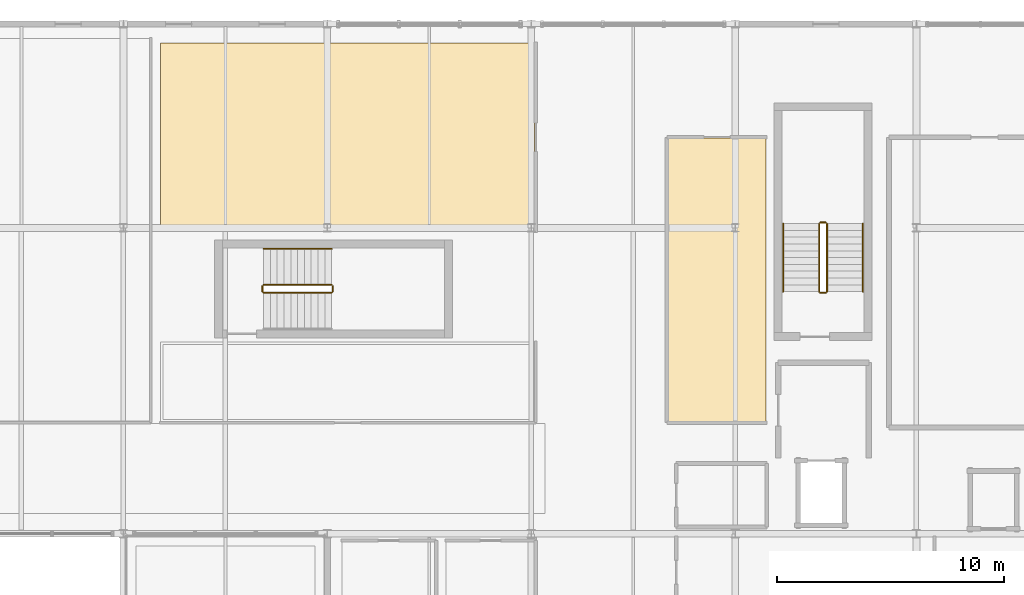
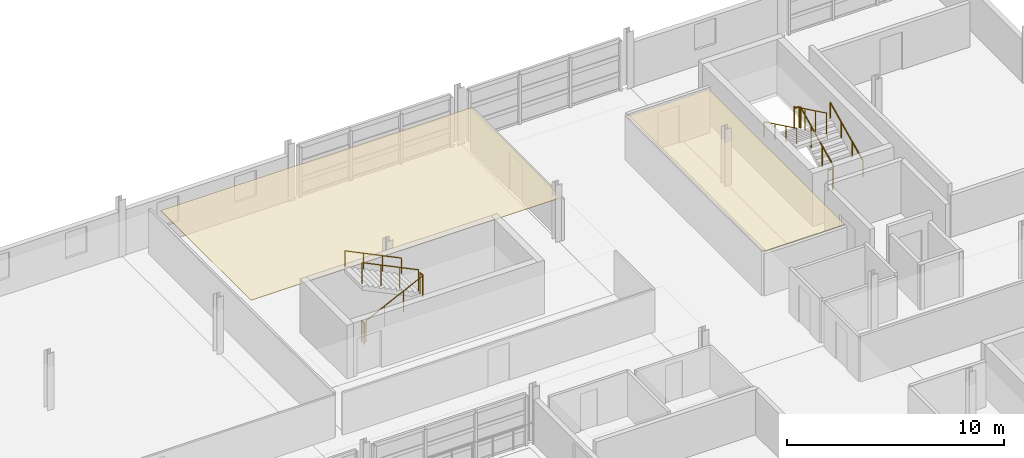
# One storey, part 29 of 30: 11 railings, 2 coverings.
"""IFC4 building model written with IfcOpenShell, lengths in metres."""

from ifc_helpers import new_model, si_unit, direction, frame, origin, origin_2d, place, context, subcontext, project, spatial, polyline, circle, outline, extrude, material, layer, layer_set, type_object, element, save


model = new_model("IFC4")

# Units and contexts
model_context = context("Model", 3, precision=1e-05, world=origin(), true_north=direction((0.0, 1.0)))
body_context = subcontext(model_context, "Body", "Model", "MODEL_VIEW")
ifc_project = project(units=[si_unit("LENGTHUNIT", "METRE"), si_unit("AREAUNIT", "SQUARE_METRE"), si_unit("VOLUMEUNIT", "CUBIC_METRE"), si_unit("PLANEANGLEUNIT", "RADIAN"), si_unit("MASSUNIT", "GRAM", prefix="KILO")], contexts=[model_context])

# Site, building, storey
site_placement = place(None, origin())
site = spatial("IfcSite", under=ifc_project, at=site_placement, CompositionType="ELEMENT")
building_placement = place(site_placement, origin())
building = spatial("IfcBuilding", under=site, at=building_placement, Name="Chuanluo Vaults Station", CompositionType="ELEMENT")
storey_placement = place(building_placement, frame((0.0, 0.0, 17.60009765625)))
storey = spatial("IfcBuildingStorey", under=building, at=storey_placement, Name="L04", CompositionType="ELEMENT", Elevation=17.60009765625)

# Coverings
ifc_material_1 = material(Name="Acoustic mineral-fibre tile")
ifc_layer = layer(ifc_material_1, 0.02490234375)
ifc_layer_set = layer_set([ifc_layer], Name="Acoustic mineral-fibre tile")
covering_type = type_object("IfcCoveringType", Name="COV-CEIL-TILE", PredefinedType="CEILING", material=ifc_layer_set)
covering_1_placement = place(storey_placement, frame((0.0, 0.0, 2.39990234375)))
element("IfcCovering", 1, at=covering_1_placement, inside=storey, type_object=covering_type, Name="L04-04 suspended acoustic ceiling", PredefinedType="CEILING", context=body_context, shape_type="SweptSolid", body=[
    extrude(outline(polyline([(146.639892578125, 116.840087890625), (163.159912109375, 116.840087890625), (163.159912109375, 125.159912109375), (146.639892578125, 125.159912109375), (146.639892578125, 116.840087890625)])), origin(), (0.0, 0.0, 1.0), 0.02490234375),
])
covering_2_placement = place(storey_placement, frame((0.0, 0.0, 2.39990234375)))
element("IfcCovering", 2, at=covering_2_placement, inside=storey, type_object=covering_type, Name="L04-16 suspended acoustic ceiling", PredefinedType="CEILING", context=body_context, shape_type="SweptSolid", body=[
    extrude(outline(polyline([(169.0400390625, 108.43994140625), (173.360107421875, 108.43994140625), (173.360107421875, 120.9599609375), (169.0400390625, 120.9599609375), (169.0400390625, 108.43994140625)])), origin(), (0.0, 0.0, 1.0), 0.02490234375),
])

# Railings
ifc_material_2 = material(Name="Tempered laminated balustrade glass", Category="glass")
railing_type_1 = type_object("IfcRailingType", Name="RLG-GUARD-1200", PredefinedType="BALUSTRADE", material=ifc_material_2)
railing_1_placement = place(storey_placement, frame((176.052490234375, 114.1875, 0.145263671875)))
element("IfcRailing", 3, at=railing_1_placement, inside=storey, type_object=railing_type_1, Name="L04 ST-02 stair guard 1", PredefinedType="BALUSTRADE", context=body_context, shape_type="SweptSolid", body=[
    extrude(circle(Radius=0.02392578125, at=origin_2d()), frame((0.0, 0.0, 1.17578125), z_axis=(0.0, 0.899808880547, 0.43628428632), x_axis=(-1.0, 0.0, 0.0)), (0.0, 0.0, 1.0), 3.333984375),
    extrude(circle(Radius=0.02099609375, at=origin_2d()), origin(), (0.0, 0.0, 1.0), 1.15185546875),
    extrude(circle(Radius=0.02099609375, at=origin_2d()), frame((0.0, 1.0, 0.48486328125)), (0.0, 0.0, 1.0), 1.15185546875),
    extrude(circle(Radius=0.02099609375, at=origin_2d()), frame((0.0, 2.0, 0.9697265625)), (0.0, 0.0, 1.0), 1.15185546875),
    extrude(circle(Radius=0.02099609375, at=origin_2d()), frame((0.0, 3.0, 1.45458984375)), (0.0, 0.0, 1.0), 1.15185546875),
])
railing_2_placement = place(storey_placement, frame((176.00244140625, 117.237548828125, 1.599853515625)))
element("IfcRailing", 4, at=railing_2_placement, inside=storey, type_object=railing_type_1, Name="L04 ST-02 stair guard 2", PredefinedType="BALUSTRADE", context=body_context, shape_type="SweptSolid", body=[
    extrude(circle(Radius=0.02392578125, at=origin_2d()), frame((0.0, 0.0, 1.17578125), z_axis=(-1.0, 0.0, 0.0), x_axis=(0.0, -1.0, 0.0)), (0.0, 0.0, 1.0), 0.25),
    extrude(circle(Radius=0.02099609375, at=origin_2d()), origin(), (0.0, 0.0, 1.0), 1.15185546875),
    extrude(circle(Radius=0.02099609375, at=origin_2d()), frame((-0.25, 0.0, 0.0)), (0.0, 0.0, 1.0), 1.15185546875),
])
railing_3_placement = place(storey_placement, frame((175.702392578125, 117.1875, 1.745361328125)))
element("IfcRailing", 5, at=railing_3_placement, inside=storey, type_object=railing_type_1, Name="L04 ST-02 stair guard 3", PredefinedType="BALUSTRADE", context=body_context, shape_type="SweptSolid", body=[
    extrude(circle(Radius=0.02392578125, at=origin_2d()), frame((0.0, 0.0, 1.17578125), z_axis=(0.0, -0.899808880547, 0.43628428632), x_axis=(1.0, 0.0, 0.0)), (0.0, 0.0, 1.0), 3.333984375),
    extrude(circle(Radius=0.02099609375, at=origin_2d()), origin(), (0.0, 0.0, 1.0), 1.15185546875),
    extrude(circle(Radius=0.02099609375, at=origin_2d()), frame((0.0, -1.0, 0.48486328125)), (0.0, 0.0, 1.0), 1.15185546875),
    extrude(circle(Radius=0.02099609375, at=origin_2d()), frame((0.0, -2.0, 0.9697265625)), (0.0, 0.0, 1.0), 1.15185546875),
    extrude(circle(Radius=0.02099609375, at=origin_2d()), frame((0.0, -3.0, 1.45458984375)), (0.0, 0.0, 1.0), 1.15185546875),
])
railing_4_placement = place(storey_placement, frame((176.00244140625, 114.137451171875, 0.0)))
element("IfcRailing", 6, at=railing_4_placement, inside=storey, type_object=railing_type_1, Name="L04 ST-02 stair guard 4", PredefinedType="BALUSTRADE", context=body_context, shape_type="SweptSolid", body=[
    extrude(circle(Radius=0.02392578125, at=origin_2d()), frame((0.0, 0.0, 1.17578125), z_axis=(-1.0, 0.0, 0.0), x_axis=(0.0, -1.0, 0.0)), (0.0, 0.0, 1.0), 0.25),
    extrude(circle(Radius=0.02099609375, at=origin_2d()), origin(), (0.0, 0.0, 1.0), 1.15185546875),
    extrude(circle(Radius=0.02099609375, at=origin_2d()), frame((-0.25, 0.0, 0.0)), (0.0, 0.0, 1.0), 1.15185546875),
])
railing_5_placement = place(storey_placement, frame((151.1875, 114.135009765625, 0.145263671875)))
element("IfcRailing", 7, at=railing_5_placement, inside=storey, type_object=railing_type_1, Name="L04 ST-03 stair guard 1", PredefinedType="BALUSTRADE", context=body_context, shape_type="SweptSolid", body=[
    extrude(circle(Radius=0.02392578125, at=origin_2d()), frame((0.0, 0.0, 1.17578125), z_axis=(0.899808880547, 0.0, 0.43628428632), x_axis=(0.0, 1.0, 0.0)), (0.0, 0.0, 1.0), 3.333984375),
    extrude(circle(Radius=0.02099609375, at=origin_2d()), origin(), (0.0, 0.0, 1.0), 1.15185546875),
    extrude(circle(Radius=0.02099609375, at=origin_2d()), frame((1.0, 0.0, 0.48486328125)), (0.0, 0.0, 1.0), 1.15185546875),
    extrude(circle(Radius=0.02099609375, at=origin_2d()), frame((2.0, 0.0, 0.9697265625)), (0.0, 0.0, 1.0), 1.15185546875),
    extrude(circle(Radius=0.02099609375, at=origin_2d()), frame((3.0, 0.0, 1.45458984375)), (0.0, 0.0, 1.0), 1.15185546875),
])
railing_6_placement = place(storey_placement, frame((154.237548828125, 114.18505859375, 1.599853515625)))
element("IfcRailing", 8, at=railing_6_placement, inside=storey, type_object=railing_type_1, Name="L04 ST-03 stair guard 2", PredefinedType="BALUSTRADE", context=body_context, shape_type="SweptSolid", body=[
    extrude(circle(Radius=0.02392578125, at=origin_2d()), frame((0.0, 0.0, 1.17578125), z_axis=(0.0, 1.0, 0.0), x_axis=(-1.0, 0.0, 0.0)), (0.0, 0.0, 1.0), 0.25),
    extrude(circle(Radius=0.02099609375, at=origin_2d()), origin(), (0.0, 0.0, 1.0), 1.15185546875),
    extrude(circle(Radius=0.02099609375, at=origin_2d()), frame((0.0, 0.25, 0.0)), (0.0, 0.0, 1.0), 1.15185546875),
])
railing_7_placement = place(storey_placement, frame((154.1875, 114.485107421875, 1.745361328125)))
element("IfcRailing", 9, at=railing_7_placement, inside=storey, type_object=railing_type_1, Name="L04 ST-03 stair guard 3", PredefinedType="BALUSTRADE", context=body_context, shape_type="SweptSolid", body=[
    extrude(circle(Radius=0.02392578125, at=origin_2d()), frame((0.0, 0.0, 1.17578125), z_axis=(-0.899808880547, 0.0, 0.43628428632), x_axis=(0.0, -1.0, 0.0)), (0.0, 0.0, 1.0), 3.333984375),
    extrude(circle(Radius=0.02099609375, at=origin_2d()), origin(), (0.0, 0.0, 1.0), 1.15185546875),
    extrude(circle(Radius=0.02099609375, at=origin_2d()), frame((-1.0, 0.0, 0.48486328125)), (0.0, 0.0, 1.0), 1.15185546875),
    extrude(circle(Radius=0.02099609375, at=origin_2d()), frame((-2.0, 0.0, 0.9697265625)), (0.0, 0.0, 1.0), 1.15185546875),
    extrude(circle(Radius=0.02099609375, at=origin_2d()), frame((-3.0, 0.0, 1.45458984375)), (0.0, 0.0, 1.0), 1.15185546875),
])
railing_8_placement = place(storey_placement, frame((151.137451171875, 114.18505859375, 0.0)))
element("IfcRailing", 10, at=railing_8_placement, inside=storey, type_object=railing_type_1, Name="L04 ST-03 stair guard 4", PredefinedType="BALUSTRADE", context=body_context, shape_type="SweptSolid", body=[
    extrude(circle(Radius=0.02392578125, at=origin_2d()), frame((0.0, 0.0, 1.17578125), z_axis=(0.0, 1.0, 0.0), x_axis=(-1.0, 0.0, 0.0)), (0.0, 0.0, 1.0), 0.25),
    extrude(circle(Radius=0.02099609375, at=origin_2d()), origin(), (0.0, 0.0, 1.0), 1.15185546875),
    extrude(circle(Radius=0.02099609375, at=origin_2d()), frame((0.0, 0.25, 0.0)), (0.0, 0.0, 1.0), 1.15185546875),
])
ifc_material_3 = material(Name="Brushed stainless steel 304", Category="steel")
railing_type_2 = type_object("IfcRailingType", Name="RLG-HAND-900", PredefinedType="HANDRAIL", material=ifc_material_3)
railing_9_placement = place(storey_placement, frame((177.637451171875, 114.1875, 0.145263671875)))
element("IfcRailing", 11, at=railing_9_placement, inside=storey, type_object=railing_type_2, Name="L04 ST-02 stair handrail 1", PredefinedType="HANDRAIL", context=body_context, shape_type="SweptSolid", body=[
    extrude(circle(Radius=0.02392578125, at=origin_2d()), frame((0.0, 0.0, 0.8759765625), z_axis=(0.0, 0.899808880547, 0.43628428632), x_axis=(-1.0, 0.0, 0.0)), (0.0, 0.0, 1.0), 3.333984375),
    extrude(circle(Radius=0.02099609375, at=origin_2d()), origin(), (0.0, 0.0, 1.0), 0.851806640625),
    extrude(circle(Radius=0.02099609375, at=origin_2d()), frame((0.0, 1.0, 0.48486328125)), (0.0, 0.0, 1.0), 0.851806640625),
    extrude(circle(Radius=0.02099609375, at=origin_2d()), frame((0.0, 2.0, 0.9697265625)), (0.0, 0.0, 1.0), 0.851806640625),
    extrude(circle(Radius=0.02099609375, at=origin_2d()), frame((0.0, 3.0, 1.45458984375)), (0.0, 0.0, 1.0), 0.851806640625),
])
railing_10_placement = place(storey_placement, frame((174.117431640625, 117.1875, 1.745361328125)))
element("IfcRailing", 12, at=railing_10_placement, inside=storey, type_object=railing_type_2, Name="L04 ST-02 stair handrail 2", PredefinedType="HANDRAIL", context=body_context, shape_type="SweptSolid", body=[
    extrude(circle(Radius=0.02392578125, at=origin_2d()), frame((0.0, 0.0, 0.8759765625), z_axis=(0.0, -0.899808880547, 0.43628428632), x_axis=(1.0, 0.0, 0.0)), (0.0, 0.0, 1.0), 3.333984375),
    extrude(circle(Radius=0.02099609375, at=origin_2d()), origin(), (0.0, 0.0, 1.0), 0.851806640625),
    extrude(circle(Radius=0.02099609375, at=origin_2d()), frame((0.0, -1.0, 0.48486328125)), (0.0, 0.0, 1.0), 0.851806640625),
    extrude(circle(Radius=0.02099609375, at=origin_2d()), frame((0.0, -2.0, 0.9697265625)), (0.0, 0.0, 1.0), 0.851806640625),
    extrude(circle(Radius=0.02099609375, at=origin_2d()), frame((0.0, -3.0, 1.45458984375)), (0.0, 0.0, 1.0), 0.851806640625),
])
railing_11_placement = place(storey_placement, frame((154.1875, 116.070068359375, 1.745361328125)))
element("IfcRailing", 13, at=railing_11_placement, inside=storey, type_object=railing_type_2, Name="L04 ST-03 stair handrail 2", PredefinedType="HANDRAIL", context=body_context, shape_type="SweptSolid", body=[
    extrude(circle(Radius=0.02392578125, at=origin_2d()), frame((0.0, 0.0, 0.8759765625), z_axis=(-0.899808880547, 0.0, 0.43628428632), x_axis=(0.0, -1.0, 0.0)), (0.0, 0.0, 1.0), 3.333984375),
    extrude(circle(Radius=0.02099609375, at=origin_2d()), origin(), (0.0, 0.0, 1.0), 0.851806640625),
    extrude(circle(Radius=0.02099609375, at=origin_2d()), frame((-1.0, 0.0, 0.48486328125)), (0.0, 0.0, 1.0), 0.851806640625),
    extrude(circle(Radius=0.02099609375, at=origin_2d()), frame((-2.0, 0.0, 0.9697265625)), (0.0, 0.0, 1.0), 0.851806640625),
    extrude(circle(Radius=0.02099609375, at=origin_2d()), frame((-3.0, 0.0, 1.45458984375)), (0.0, 0.0, 1.0), 0.851806640625),
])

save(model, "model.ifc")
